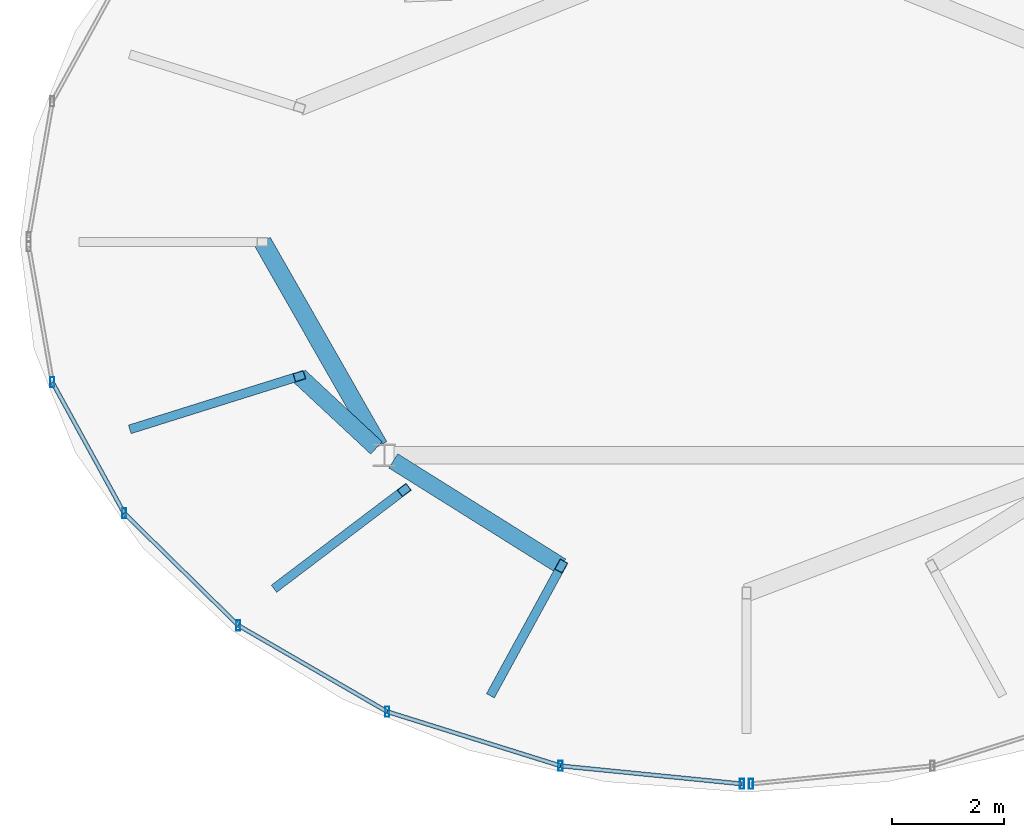
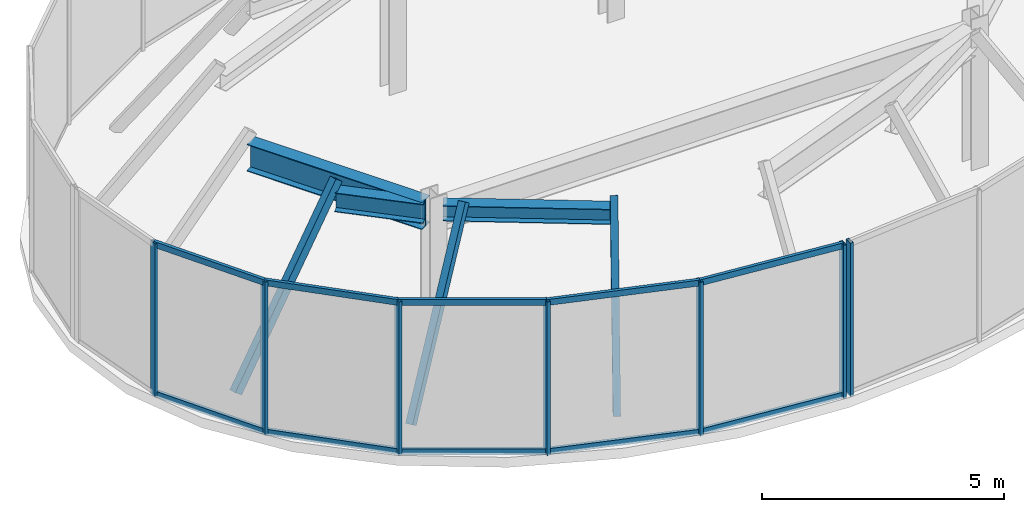
# One storey, part 2 of 10: 20 members, 3 beams, 2 elements without a shape of their own.
"""IFC4 building model written with IfcOpenShell, lengths in metres."""

from ifc_helpers import new_model, si_unit, direction, frame, origin, origin_2d, place, context, subcontext, project, spatial, hollow_rectangle, i_section, extrude, material, material_profile, profile_set, type_object, element, aggregate, save


model = new_model("IFC4")

# Units and contexts
model_context = context("Model", 3, precision=1e-05, world=origin(), true_north=direction((0.0, 1.0)))
body_context = subcontext(model_context, "Body", "Model", "MODEL_VIEW")
ifc_project = project(units=[si_unit("LENGTHUNIT", "METRE"), si_unit("AREAUNIT", "SQUARE_METRE"), si_unit("VOLUMEUNIT", "CUBIC_METRE"), si_unit("PLANEANGLEUNIT", "RADIAN"), si_unit("MASSUNIT", "GRAM", prefix="KILO")], contexts=[model_context])

# Site, building, storey
site_placement = place(None, origin())
site = spatial("IfcSite", under=ifc_project, at=site_placement, CompositionType="ELEMENT")
building_placement = place(site_placement, origin())
building = spatial("IfcBuilding", under=site, at=building_placement, Name="Vorneva Point Tower", CompositionType="ELEMENT")
storey_placement = place(building_placement, frame((0.0, 0.0, 306.800048828125)))
storey = spatial("IfcBuildingStorey", under=building, at=storey_placement, Name="C04", CompositionType="ELEMENT", Elevation=306.800048828125)

# Beams
ifc_material_1 = material(Name="Steel S355", Category="steel")
ifc_material_profile_1 = material_profile(ifc_material_1, i_section(OverallWidth=0.299072265625, OverallDepth=0.383056640625, WebThickness=0.009521484375, FlangeThickness=0.012451171875, at=origin_2d()), Name="40Sh1")
ifc_profile_set_1 = profile_set([ifc_material_profile_1], Name="Steel S355")
beam_type_1 = type_object("IfcBeamType", Name="BM-GRD-40Sh1", PredefinedType="USERDEFINED", material=ifc_profile_set_1)
beam_1_placement = place(storey_placement, frame((34.701904296875, 20.225830078125, 3.3583984375), z_axis=(-0.847496580267, 0.530800853839, 0.0), x_axis=(-0.530800853839, -0.847496580267, 0.0)))
element("IfcBeam", 1, at=beam_1_placement, inside=storey, type_object=beam_type_1, Name="C04 Radial Primary Girder 12", ObjectType="GIRDER", PredefinedType="USERDEFINED", context=body_context, shape_type="SweptSolid", body=[
    extrude(i_section(OverallWidth=0.299072265625, OverallDepth=0.383056640625, WebThickness=0.009521484375, FlangeThickness=0.012451171875, at=origin_2d()), origin(), (0.0, 0.0, 1.0), 3.529296875),
])
ifc_material_profile_2 = material_profile(ifc_material_1, i_section(OverallWidth=0.300048828125, OverallDepth=0.48193359375, WebThickness=0.010986328125, FlangeThickness=0.014892578125, at=origin_2d()), Name="50Sh1")
ifc_profile_set_2 = profile_set([ifc_material_profile_2], Name="Steel S355")
beam_type_2 = type_object("IfcBeamType", Name="BM-GRD-50Sh1", PredefinedType="USERDEFINED", material=ifc_profile_set_2)
beam_2_placement = place(storey_placement, frame((30.0380859375, 23.608154296875, 3.308837890625), z_axis=(0.731777583724, -0.681543518756, 0.0), x_axis=(0.681543518756, 0.731777583724, 0.0)))
element("IfcBeam", 2, at=beam_2_placement, inside=storey, type_object=beam_type_2, Name="C04 Radial Primary Girder 10", ObjectType="GIRDER", PredefinedType="USERDEFINED", context=body_context, shape_type="SweptSolid", body=[
    extrude(i_section(OverallWidth=0.300048828125, OverallDepth=0.48193359375, WebThickness=0.010986328125, FlangeThickness=0.014892578125, at=origin_2d()), origin(), (0.0, 0.0, 1.0), 1.8759765625),
])
ifc_material_profile_3 = material_profile(ifc_material_1, i_section(OverallWidth=0.320068359375, OverallDepth=0.68310546875, WebThickness=0.012939453125, FlangeThickness=0.01904296875, at=origin_2d()), Name="70Sh1")
ifc_profile_set_3 = profile_set([ifc_material_profile_3], Name="Steel S355")
beam_type_3 = type_object("IfcBeamType", Name="BM-GRD-70Sh1", PredefinedType="USERDEFINED", material=ifc_profile_set_3)
beam_3_placement = place(storey_placement, frame((29.382080078125, 26.0, 3.20849609375), z_axis=(0.495523123149, -0.868594746947, 0.0), x_axis=(0.868594746947, 0.495523123149, 0.0)))
element("IfcBeam", 3, at=beam_3_placement, inside=storey, type_object=beam_type_3, Name="C04 Radial Primary Girder 09", ObjectType="GIRDER", PredefinedType="USERDEFINED", context=body_context, shape_type="SweptSolid", body=[
    extrude(i_section(OverallWidth=0.320068359375, OverallDepth=0.68310546875, WebThickness=0.012939453125, FlangeThickness=0.01904296875, at=origin_2d()), origin(), (0.0, 0.0, 1.0), 4.184814453125),
])

# Curtain wall, members
ifc_material_2 = material(Name="Pale anodised aluminium", Category="aluminium")
curtain_wall_type = type_object("IfcCurtainWallType", Name="CW-CRN-SYS", PredefinedType="NOTDEFINED", material=ifc_material_2)
curtain_wall_1_placement = place(storey_placement, origin())
curtain_wall_1 = element("IfcCurtainWall", 4, at=curtain_wall_1_placement, inside=storey, type_object=curtain_wall_type, Name="C04 Unitised Curtain Wall CW-C04-Q3", PredefinedType="NOTDEFINED")
ifc_material_profile_4 = material_profile(ifc_material_2, hollow_rectangle(XDim=0.074951171875, YDim=0.179931640625, WallThickness=0.00390625, at=origin_2d()), Name="AL-MUL 180x75x4")
ifc_profile_set_4 = profile_set([ifc_material_profile_4], Name="Pale anodised aluminium")
member_type_1 = type_object("IfcMemberType", Name="CW-MUL-180", PredefinedType="MULLION", material=ifc_profile_set_4)
member_1_placement = place(storey_placement, frame((25.639892578125, 23.499755859375, -0.0400390625), z_axis=(0.0, 0.0, 1.0), x_axis=(1.0, 0.0, 0.0)))
member_1 = element("IfcMember", 5, at=member_1_placement, type_object=member_type_1, Name="CW-C04-Q3 Mullion 02", PredefinedType="MULLION", context=body_context, shape_type="SweptSolid", body=[
    extrude(hollow_rectangle(XDim=0.074951171875, YDim=0.179931640625, WallThickness=0.00390625, at=origin_2d()), origin(), (0.0, 0.0, 1.0), 3.869873046875),
])
member_2_placement = place(storey_placement, frame((26.918212890625, 21.169921875, -0.0400390625), z_axis=(0.0, 0.0, 1.0), x_axis=(1.0, 0.0, 0.0)))
member_2 = element("IfcMember", 6, at=member_2_placement, type_object=member_type_1, Name="CW-C04-Q3 Mullion 03", PredefinedType="MULLION", context=body_context, shape_type="SweptSolid", body=[
    extrude(hollow_rectangle(XDim=0.074951171875, YDim=0.179931640625, WallThickness=0.00390625, at=origin_2d()), origin(), (0.0, 0.0, 1.0), 3.869873046875),
])
member_3_placement = place(storey_placement, frame((28.951904296875, 19.169189453125, -0.0400390625), z_axis=(0.0, 0.0, 1.0), x_axis=(1.0, 0.0, 0.0)))
member_3 = element("IfcMember", 7, at=member_3_placement, type_object=member_type_1, Name="CW-C04-Q3 Mullion 04", PredefinedType="MULLION", context=body_context, shape_type="SweptSolid", body=[
    extrude(hollow_rectangle(XDim=0.074951171875, YDim=0.179931640625, WallThickness=0.00390625, at=origin_2d()), origin(), (0.0, 0.0, 1.0), 3.869873046875),
])
member_4_placement = place(storey_placement, frame((31.60205078125, 17.63427734375, -0.0400390625), z_axis=(0.0, 0.0, 1.0), x_axis=(1.0, 0.0, 0.0)))
member_4 = element("IfcMember", 8, at=member_4_placement, type_object=member_type_1, Name="CW-C04-Q3 Mullion 05", PredefinedType="MULLION", context=body_context, shape_type="SweptSolid", body=[
    extrude(hollow_rectangle(XDim=0.074951171875, YDim=0.179931640625, WallThickness=0.00390625, at=origin_2d()), origin(), (0.0, 0.0, 1.0), 3.869873046875),
])
member_5_placement = place(storey_placement, frame((34.688232421875, 16.669189453125, -0.0400390625), z_axis=(0.0, 0.0, 1.0), x_axis=(1.0, 0.0, 0.0)))
member_5 = element("IfcMember", 9, at=member_5_placement, type_object=member_type_1, Name="CW-C04-Q3 Mullion 06", PredefinedType="MULLION", context=body_context, shape_type="SweptSolid", body=[
    extrude(hollow_rectangle(XDim=0.074951171875, YDim=0.179931640625, WallThickness=0.00390625, at=origin_2d()), origin(), (0.0, 0.0, 1.0), 3.869873046875),
])
member_6_placement = place(storey_placement, frame((37.92041015625, 16.347900390625, -0.0400390625), z_axis=(0.0, 0.0, 1.0), x_axis=(1.0, 0.0, 0.0)))
member_6 = element("IfcMember", 10, at=member_6_placement, type_object=member_type_1, Name="CW-C04-Q3 Mullion 07", PredefinedType="MULLION", context=body_context, shape_type="SweptSolid", body=[
    extrude(hollow_rectangle(XDim=0.074951171875, YDim=0.179931640625, WallThickness=0.00390625, at=origin_2d()), origin(), (0.0, 0.0, 1.0), 3.869873046875),
])

# Curtain wall, member
curtain_wall_2_placement = place(storey_placement, origin())
curtain_wall_2 = element("IfcCurtainWall", 11, at=curtain_wall_2_placement, inside=storey, type_object=curtain_wall_type, Name="C04 Unitised Curtain Wall CW-C04-Q4", PredefinedType="NOTDEFINED")
member_7_placement = place(storey_placement, frame((38.07958984375, 16.347900390625, -0.0400390625), z_axis=(0.0, 0.0, 1.0), x_axis=(1.0, 0.0, 0.0)))
member_7 = element("IfcMember", 12, at=member_7_placement, type_object=member_type_1, Name="CW-C04-Q4 Mullion 01", PredefinedType="MULLION", context=body_context, shape_type="SweptSolid", body=[
    extrude(hollow_rectangle(XDim=0.074951171875, YDim=0.179931640625, WallThickness=0.00390625, at=origin_2d()), origin(), (0.0, 0.0, 1.0), 3.869873046875),
])
aggregate(curtain_wall_2, [member_7])

# Member
ifc_material_profile_5 = material_profile(ifc_material_2, hollow_rectangle(XDim=0.074951171875, YDim=0.14990234375, WallThickness=0.00390625, at=origin_2d()), Name="AL-TRN 150x75x4")
ifc_profile_set_5 = profile_set([ifc_material_profile_5], Name="Pale anodised aluminium")
member_type_2 = type_object("IfcMemberType", Name="CW-TRN-150", PredefinedType="USERDEFINED", material=ifc_profile_set_5)
member_8_placement = place(storey_placement, frame((25.639892578125, 23.499755859375, 0.02001953125), z_axis=(0.481026259401, -0.876706186682, 0.0), x_axis=(0.876706186682, 0.481026259401, 0.0)))
member_8 = element("IfcMember", 13, at=member_8_placement, type_object=member_type_2, Name="CW-C04-Q3 Transom 02.1", ObjectType="TRANSOM", PredefinedType="USERDEFINED", context=body_context, shape_type="SweptSolid", body=[
    extrude(hollow_rectangle(XDim=0.074951171875, YDim=0.14990234375, WallThickness=0.00390625, at=origin_2d()), origin(), (0.0, 0.0, 1.0), 2.657470703125),
])

member_9_placement = place(storey_placement, frame((25.639892578125, 23.499755859375, 3.780029296875), z_axis=(0.481026259401, -0.876706186682, 0.0), x_axis=(0.876706186682, 0.481026259401, 0.0)))
member_9 = element("IfcMember", 14, at=member_9_placement, type_object=member_type_2, Name="CW-C04-Q3 Transom 02.2", ObjectType="TRANSOM", PredefinedType="USERDEFINED", context=body_context, shape_type="SweptSolid", body=[
    extrude(hollow_rectangle(XDim=0.074951171875, YDim=0.14990234375, WallThickness=0.00390625, at=origin_2d()), origin(), (0.0, 0.0, 1.0), 2.657470703125),
])

member_10_placement = place(storey_placement, frame((26.918212890625, 21.169921875, 0.02001953125), z_axis=(0.712859660138, -0.701306712465, 0.0), x_axis=(0.701306712465, 0.712859660138, 0.0)))
member_10 = element("IfcMember", 15, at=member_10_placement, type_object=member_type_2, Name="CW-C04-Q3 Transom 03.1", ObjectType="TRANSOM", PredefinedType="USERDEFINED", context=body_context, shape_type="SweptSolid", body=[
    extrude(hollow_rectangle(XDim=0.074951171875, YDim=0.14990234375, WallThickness=0.00390625, at=origin_2d()), origin(), (0.0, 0.0, 1.0), 2.852783203125),
])

member_11_placement = place(storey_placement, frame((26.918212890625, 21.169921875, 3.780029296875), z_axis=(0.712859660138, -0.701306712465, 0.0), x_axis=(0.701306712465, 0.712859660138, 0.0)))
member_11 = element("IfcMember", 16, at=member_11_placement, type_object=member_type_2, Name="CW-C04-Q3 Transom 03.2", ObjectType="TRANSOM", PredefinedType="USERDEFINED", context=body_context, shape_type="SweptSolid", body=[
    extrude(hollow_rectangle(XDim=0.074951171875, YDim=0.14990234375, WallThickness=0.00390625, at=origin_2d()), origin(), (0.0, 0.0, 1.0), 2.852783203125),
])

member_12_placement = place(storey_placement, frame((28.951904296875, 19.169189453125, 0.02001953125), z_axis=(0.865338946389, -0.501187098659, 0.0), x_axis=(0.501187098659, 0.865338946389, 0.0)))
member_12 = element("IfcMember", 17, at=member_12_placement, type_object=member_type_2, Name="CW-C04-Q3 Transom 04.1", ObjectType="TRANSOM", PredefinedType="USERDEFINED", context=body_context, shape_type="SweptSolid", body=[
    extrude(hollow_rectangle(XDim=0.074951171875, YDim=0.14990234375, WallThickness=0.00390625, at=origin_2d()), origin(), (0.0, 0.0, 1.0), 3.0625),
])

member_13_placement = place(storey_placement, frame((28.951904296875, 19.169189453125, 3.780029296875), z_axis=(0.865338946389, -0.501187098659, 0.0), x_axis=(0.501187098659, 0.865338946389, 0.0)))
member_13 = element("IfcMember", 18, at=member_13_placement, type_object=member_type_2, Name="CW-C04-Q3 Transom 04.2", ObjectType="TRANSOM", PredefinedType="USERDEFINED", context=body_context, shape_type="SweptSolid", body=[
    extrude(hollow_rectangle(XDim=0.074951171875, YDim=0.14990234375, WallThickness=0.00390625, at=origin_2d()), origin(), (0.0, 0.0, 1.0), 3.0625),
])

member_14_placement = place(storey_placement, frame((31.60205078125, 17.63427734375, 0.02001953125), z_axis=(0.954422191614, -0.298459846804, 0.0), x_axis=(0.298459846804, 0.954422191614, 0.0)))
member_14 = element("IfcMember", 19, at=member_14_placement, type_object=member_type_2, Name="CW-C04-Q3 Transom 05.1", ObjectType="TRANSOM", PredefinedType="USERDEFINED", context=body_context, shape_type="SweptSolid", body=[
    extrude(hollow_rectangle(XDim=0.074951171875, YDim=0.14990234375, WallThickness=0.00390625, at=origin_2d()), origin(), (0.0, 0.0, 1.0), 3.233642578125),
])

member_15_placement = place(storey_placement, frame((31.60205078125, 17.63427734375, 3.780029296875), z_axis=(0.954422191614, -0.298459846804, 0.0), x_axis=(0.298459846804, 0.954422191614, 0.0)))
member_15 = element("IfcMember", 20, at=member_15_placement, type_object=member_type_2, Name="CW-C04-Q3 Transom 05.2", ObjectType="TRANSOM", PredefinedType="USERDEFINED", context=body_context, shape_type="SweptSolid", body=[
    extrude(hollow_rectangle(XDim=0.074951171875, YDim=0.14990234375, WallThickness=0.00390625, at=origin_2d()), origin(), (0.0, 0.0, 1.0), 3.233642578125),
])

member_16_placement = place(storey_placement, frame((34.688232421875, 16.669189453125, 0.02001953125), z_axis=(0.995095808146, -0.098915785446, 0.0), x_axis=(0.098915785446, 0.995095808146, 0.0)))
member_16 = element("IfcMember", 21, at=member_16_placement, type_object=member_type_2, Name="CW-C04-Q3 Transom 06.1", ObjectType="TRANSOM", PredefinedType="USERDEFINED", context=body_context, shape_type="SweptSolid", body=[
    extrude(hollow_rectangle(XDim=0.074951171875, YDim=0.14990234375, WallThickness=0.00390625, at=origin_2d()), origin(), (0.0, 0.0, 1.0), 3.248046875),
])

member_17_placement = place(storey_placement, frame((34.688232421875, 16.669189453125, 3.780029296875), z_axis=(0.995095808146, -0.098915785446, 0.0), x_axis=(0.098915785446, 0.995095808146, 0.0)))
member_17 = element("IfcMember", 22, at=member_17_placement, type_object=member_type_2, Name="CW-C04-Q3 Transom 06.2", ObjectType="TRANSOM", PredefinedType="USERDEFINED", context=body_context, shape_type="SweptSolid", body=[
    extrude(hollow_rectangle(XDim=0.074951171875, YDim=0.14990234375, WallThickness=0.00390625, at=origin_2d()), origin(), (0.0, 0.0, 1.0), 3.248046875),
])

aggregate(curtain_wall_1, [member_1, member_2, member_3, member_4, member_5, member_6, member_8, member_9, member_10, member_11, member_12, member_13, member_14, member_15, member_16, member_17])

# Members
ifc_material_profile_6 = material_profile(ifc_material_1, hollow_rectangle(XDim=0.159912109375, YDim=0.25, WallThickness=0.010009765625, at=origin_2d()), Name="PP 250x160x10")
ifc_profile_set_6 = profile_set([ifc_material_profile_6], Name="Steel S355")
member_type_3 = type_object("IfcMemberType", Name="MBR-CRN-PP250", PredefinedType="CHORD", material=ifc_profile_set_6)
member_18_placement = place(storey_placement, frame((27.111083984375, 22.689697265625, 0.0), z_axis=(0.599331651176, 0.188062863602, 0.778096350867), x_axis=(-0.299394058413, 0.954129549792, 0.0)))
element("IfcMember", 23, at=member_18_placement, inside=storey, type_object=member_type_3, Name="Crown Tapered Frame Rib C04-10", PredefinedType="CHORD", context=body_context, shape_type="SweptSolid", body=[
    extrude(hollow_rectangle(XDim=0.159912109375, YDim=0.25, WallThickness=0.010009765625, at=origin_2d()), origin(), (0.0, 0.0, 1.0), 4.8837890625),
])
member_19_placement = place(storey_placement, frame((29.666015625, 19.883544921875, 0.0), z_axis=(0.473982748599, 0.359051229894, 0.80400408478), x_axis=(-0.603829254859, 0.797113687611, 0.0)))
element("IfcMember", 24, at=member_19_placement, inside=storey, type_object=member_type_3, Name="Crown Tapered Frame Rib C04-11", PredefinedType="CHORD", context=body_context, shape_type="SweptSolid", body=[
    extrude(hollow_rectangle(XDim=0.159912109375, YDim=0.25, WallThickness=0.010009765625, at=origin_2d()), origin(), (0.0, 0.0, 1.0), 4.726318359375),
])
member_20_placement = place(storey_placement, frame((33.48974609375, 18.00830078125, 0.0), z_axis=(0.265610072892, 0.485908618746, 0.832672866981), x_axis=(-0.877463262147, 0.479643850772, 0.0)))
element("IfcMember", 25, at=member_20_placement, inside=storey, type_object=member_type_3, Name="Crown Tapered Frame Rib C04-12", PredefinedType="CHORD", context=body_context, shape_type="SweptSolid", body=[
    extrude(hollow_rectangle(XDim=0.159912109375, YDim=0.25, WallThickness=0.010009765625, at=origin_2d()), origin(), (0.0, 0.0, 1.0), 4.563720703125),
])

save(model, "model.ifc")
